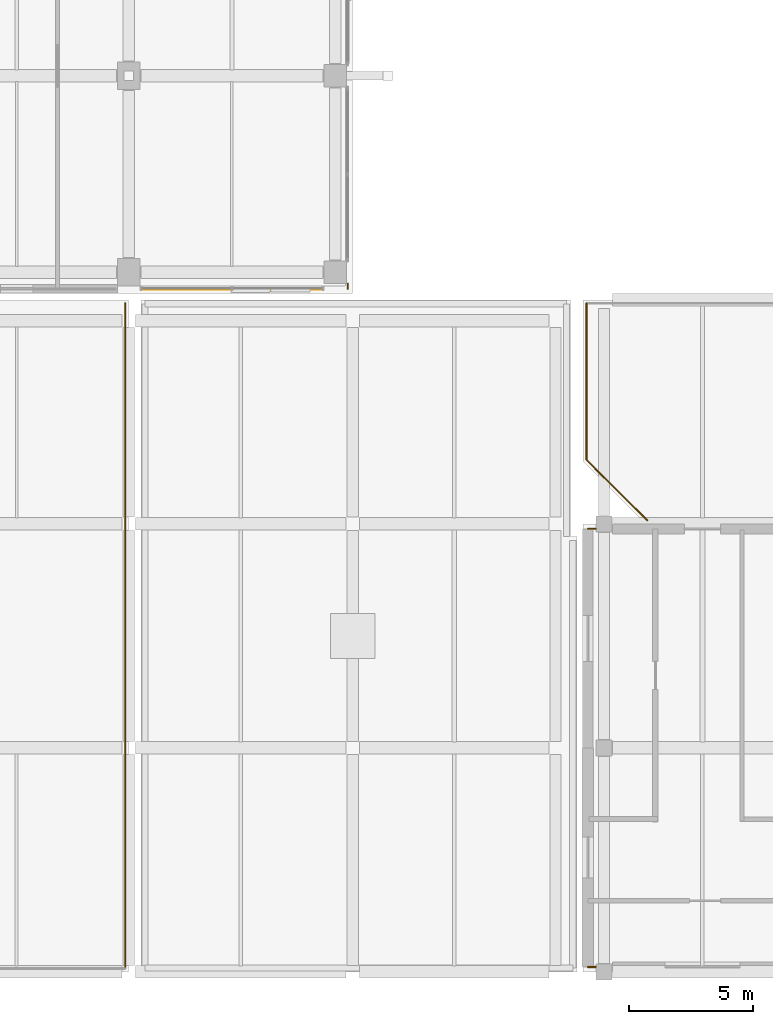
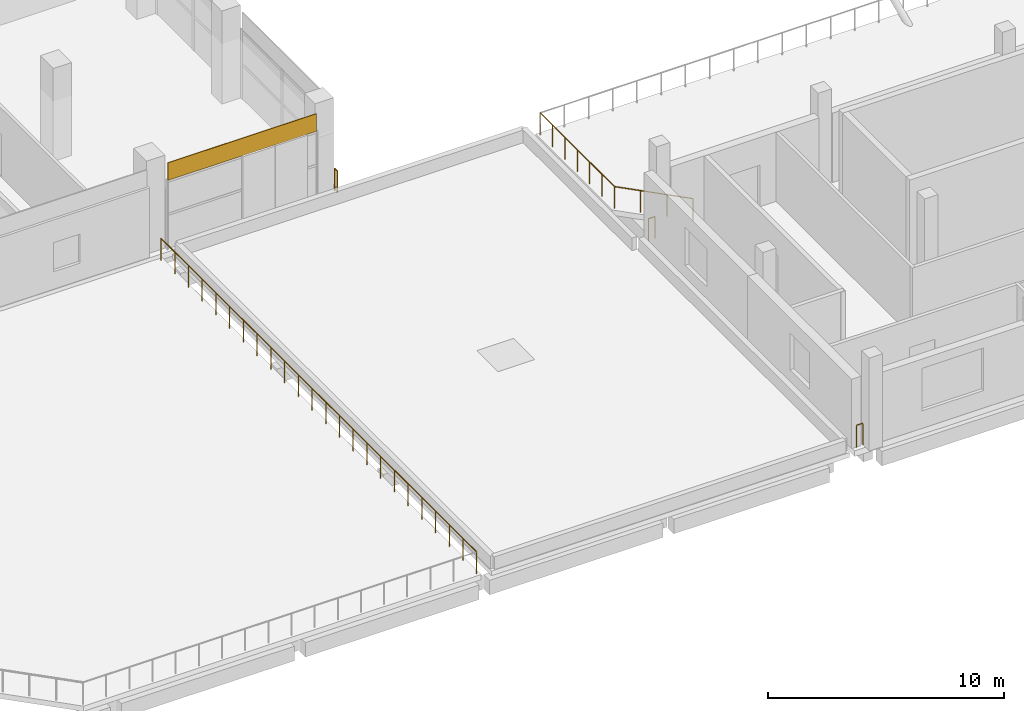
# One storey, part 65 of 82: 6 railings, 1 covering.
"""IFC4 building model written with IfcOpenShell, lengths in metres."""

from ifc_helpers import new_model, si_unit, direction, frame, origin, origin_2d, place, context, subcontext, project, spatial, rectangle, circle, extrude, material, layer, layer_set, type_object, element, save


model = new_model("IFC4")

# Units and contexts
model_context = context("Model", 3, precision=1e-05, world=origin(), true_north=direction((0.0, 1.0)))
body_context = subcontext(model_context, "Body", "Model", "MODEL_VIEW")
ifc_project = project(units=[si_unit("LENGTHUNIT", "METRE"), si_unit("AREAUNIT", "SQUARE_METRE"), si_unit("VOLUMEUNIT", "CUBIC_METRE"), si_unit("PLANEANGLEUNIT", "RADIAN"), si_unit("MASSUNIT", "GRAM", prefix="KILO"), si_unit("THERMODYNAMICTEMPERATUREUNIT", "KELVIN"), si_unit("POWERUNIT", "WATT")], contexts=[model_context])

# Site, building, storey
site_placement = place(None, origin())
site = spatial("IfcSite", under=ifc_project, at=site_placement, CompositionType="ELEMENT")
building_placement = place(site_placement, origin())
building = spatial("IfcBuilding", under=site, at=building_placement, Name="Sindhuravela Promenade Stadium", CompositionType="ELEMENT")
storey_placement = place(building_placement, frame((0.0, 0.0, 14.39990234375)))
storey = spatial("IfcBuildingStorey", under=building, at=storey_placement, Name="L03", CompositionType="ELEMENT", Elevation=14.39990234375)

# Covering
ifc_material_1 = material(Name="Polychrome trencadis ceramic mosaic", Category="masonry")
ifc_layer = layer(ifc_material_1, 0.034912109375)
ifc_layer_set = layer_set([ifc_layer], Name="Polychrome trencadis ceramic mosaic")
covering_type = type_object("IfcCoveringType", Name="CV-TRENC-1", PredefinedType="CLADDING", material=ifc_layer_set)
covering_placement = place(storey_placement, frame((40.14990234375, 36.429931640625, 3.55517578125), z_axis=(0.0, 0.0, 1.0), x_axis=(-1.0, 0.0, 0.0)))
element("IfcCovering", 1, at=covering_placement, inside=storey, type_object=covering_type, Name="Trencadis ceramic mosaic spandrel frieze WEST L03-96", PredefinedType="CLADDING", context=body_context, shape_type="SweptSolid", body=[
    extrude(rectangle(XDim=7.27001953125, YDim=0.034912109375, at=origin_2d()), origin(), (0.0, 0.0, 1.0), 0.905029296875),
])

# Railings
ifc_material_2 = material(Name="Architectural wrought steel E350", Category="steel")
railing_type_1 = type_object("IfcRailingType", Name="RL-BAL-1150", PredefinedType="BALUSTRADE", material=ifc_material_2)
railing_1_placement = place(storey_placement, frame((35.860107421875, 35.860107421875, 0.0)))
element("IfcRailing", 2, at=railing_1_placement, inside=storey, type_object=railing_type_1, Name="Terrace wrought balustrade BL01-15", PredefinedType="BALUSTRADE", context=body_context, shape_type="SweptSolid", body=[
    extrude(circle(Radius=0.02392578125, at=origin_2d()), frame((0.0, 0.0, 1.1259765625), z_axis=(0.0, -1.0, 0.0), x_axis=(1.0, 0.0, 0.0)), (0.0, 0.0, 1.0), 26.72021484375),
    extrude(circle(Radius=0.02099609375, at=origin_2d()), origin(), (0.0, 0.0, 1.0), 1.101806640625),
    extrude(circle(Radius=0.02099609375, at=origin_2d()), frame((0.0, -1.161865234375, 0.0)), (0.0, 0.0, 1.0), 1.101806640625),
    extrude(circle(Radius=0.02099609375, at=origin_2d()), frame((0.0, -2.323486328125, 0.0)), (0.0, 0.0, 1.0), 1.101806640625),
    extrude(circle(Radius=0.02099609375, at=origin_2d()), frame((0.0, -3.4853515625, 0.0)), (0.0, 0.0, 1.0), 1.101806640625),
    extrude(circle(Radius=0.02099609375, at=origin_2d()), frame((0.0, -4.64697265625, 0.0)), (0.0, 0.0, 1.0), 1.101806640625),
    extrude(circle(Radius=0.02099609375, at=origin_2d()), frame((0.0, -5.808837890625, 0.0)), (0.0, 0.0, 1.0), 1.101806640625),
    extrude(circle(Radius=0.02099609375, at=origin_2d()), frame((0.0, -6.970458984375, 0.0)), (0.0, 0.0, 1.0), 1.101806640625),
    extrude(circle(Radius=0.02099609375, at=origin_2d()), frame((0.0, -8.13232421875, 0.0)), (0.0, 0.0, 1.0), 1.101806640625),
    extrude(circle(Radius=0.02099609375, at=origin_2d()), frame((0.0, -9.2939453125, 0.0)), (0.0, 0.0, 1.0), 1.101806640625),
    extrude(circle(Radius=0.02099609375, at=origin_2d()), frame((0.0, -10.455810546875, 0.0)), (0.0, 0.0, 1.0), 1.101806640625),
    extrude(circle(Radius=0.02099609375, at=origin_2d()), frame((0.0, -11.617431640625, 0.0)), (0.0, 0.0, 1.0), 1.101806640625),
    extrude(circle(Radius=0.02099609375, at=origin_2d()), frame((0.0, -12.779296875, 0.0)), (0.0, 0.0, 1.0), 1.101806640625),
    extrude(circle(Radius=0.02099609375, at=origin_2d()), frame((0.0, -13.94091796875, 0.0)), (0.0, 0.0, 1.0), 1.101806640625),
    extrude(circle(Radius=0.02099609375, at=origin_2d()), frame((0.0, -15.102783203125, 0.0)), (0.0, 0.0, 1.0), 1.101806640625),
    extrude(circle(Radius=0.02099609375, at=origin_2d()), frame((0.0, -16.264404296875, 0.0)), (0.0, 0.0, 1.0), 1.101806640625),
    extrude(circle(Radius=0.02099609375, at=origin_2d()), frame((0.0, -17.42626953125, 0.0)), (0.0, 0.0, 1.0), 1.101806640625),
    extrude(circle(Radius=0.02099609375, at=origin_2d()), frame((0.0, -18.587890625, 0.0)), (0.0, 0.0, 1.0), 1.101806640625),
    extrude(circle(Radius=0.02099609375, at=origin_2d()), frame((0.0, -19.749755859375, 0.0)), (0.0, 0.0, 1.0), 1.101806640625),
    extrude(circle(Radius=0.02099609375, at=origin_2d()), frame((0.0, -20.911376953125, 0.0)), (0.0, 0.0, 1.0), 1.101806640625),
    extrude(circle(Radius=0.02099609375, at=origin_2d()), frame((0.0, -22.0732421875, 0.0)), (0.0, 0.0, 1.0), 1.101806640625),
    extrude(circle(Radius=0.02099609375, at=origin_2d()), frame((0.0, -23.23486328125, 0.0)), (0.0, 0.0, 1.0), 1.101806640625),
    extrude(circle(Radius=0.02099609375, at=origin_2d()), frame((0.0, -24.396728515625, 0.0)), (0.0, 0.0, 1.0), 1.101806640625),
    extrude(circle(Radius=0.02099609375, at=origin_2d()), frame((0.0, -25.558349609375, 0.0)), (0.0, 0.0, 1.0), 1.101806640625),
    extrude(circle(Radius=0.02099609375, at=origin_2d()), frame((0.0, -26.72021484375, 0.0)), (0.0, 0.0, 1.0), 1.101806640625),
])
railing_2_placement = place(storey_placement, frame((56.827880859375, 27.139892578125, 0.0)))
element("IfcRailing", 3, at=railing_2_placement, inside=storey, type_object=railing_type_1, Name="Terrace wrought balustrade BL01-45", PredefinedType="BALUSTRADE", context=body_context, shape_type="SweptSolid", body=[
    extrude(circle(Radius=0.02392578125, at=origin_2d()), frame((0.0, 0.0, 1.1259765625), z_axis=(-0.7071067811865476, 0.7071067811865476, 0.0), x_axis=(-0.7071067811865476, -0.7071067811865476, 0.0)), (0.0, 0.0, 1.0), 3.44775390625),
    extrude(circle(Radius=0.02099609375, at=origin_2d()), origin(), (0.0, 0.0, 1.0), 1.101806640625),
    extrude(circle(Radius=0.02099609375, at=origin_2d()), frame((-0.812744140625, 0.812744140625, 0.0)), (0.0, 0.0, 1.0), 1.101806640625),
    extrude(circle(Radius=0.02099609375, at=origin_2d()), frame((-1.625244140625, 1.625244140625, 0.0)), (0.0, 0.0, 1.0), 1.101806640625),
    extrude(circle(Radius=0.02099609375, at=origin_2d()), frame((-2.43798828125, 2.43798828125, 0.0)), (0.0, 0.0, 1.0), 1.101806640625),
])
railing_3_placement = place(storey_placement, frame((54.389892578125, 29.577880859375, 0.0)))
element("IfcRailing", 4, at=railing_3_placement, inside=storey, type_object=railing_type_1, Name="Terrace wrought balustrade BL01-46", PredefinedType="BALUSTRADE", context=body_context, shape_type="SweptSolid", body=[
    extrude(circle(Radius=0.02392578125, at=origin_2d()), frame((0.0, 0.0, 1.1259765625), z_axis=(0.0, 1.0, 0.0), x_axis=(-1.0, 0.0, 0.0)), (0.0, 0.0, 1.0), 6.2822265625),
    extrude(circle(Radius=0.02099609375, at=origin_2d()), origin(), (0.0, 0.0, 1.0), 1.101806640625),
    extrude(circle(Radius=0.02099609375, at=origin_2d()), frame((0.0, 1.047119140625, 0.0)), (0.0, 0.0, 1.0), 1.101806640625),
    extrude(circle(Radius=0.02099609375, at=origin_2d()), frame((0.0, 2.093994140625, 0.0)), (0.0, 0.0, 1.0), 1.101806640625),
    extrude(circle(Radius=0.02099609375, at=origin_2d()), frame((0.0, 3.14111328125, 0.0)), (0.0, 0.0, 1.0), 1.101806640625),
    extrude(circle(Radius=0.02099609375, at=origin_2d()), frame((0.0, 4.188232421875, 0.0)), (0.0, 0.0, 1.0), 1.101806640625),
    extrude(circle(Radius=0.02099609375, at=origin_2d()), frame((0.0, 5.235107421875, 0.0)), (0.0, 0.0, 1.0), 1.101806640625),
    extrude(circle(Radius=0.02099609375, at=origin_2d()), frame((0.0, 6.2822265625, 0.0)), (0.0, 0.0, 1.0), 1.101806640625),
])
railing_type_2 = type_object("IfcRailingType", Name="RL-GRD-1150", PredefinedType="GUARDRAIL", material=ifc_material_2)
railing_4_placement = place(storey_placement, frame((44.800048828125, 36.64501953125, 0.0)))
element("IfcRailing", 5, at=railing_4_placement, inside=storey, type_object=railing_type_2, Name="Perimeter edge return guard WEST L03", PredefinedType="GUARDRAIL", context=body_context, shape_type="SweptSolid", body=[
    extrude(circle(Radius=0.02392578125, at=origin_2d()), frame((0.0, 0.0, 1.1259765625), z_axis=(0.0, -1.0, 0.0), x_axis=(1.0, 0.0, 0.0)), (0.0, 0.0, 1.0), 0.195068359375),
    extrude(circle(Radius=0.02099609375, at=origin_2d()), origin(), (0.0, 0.0, 1.0), 1.101806640625),
    extrude(circle(Radius=0.02099609375, at=origin_2d()), frame((0.0, -0.195068359375, 0.0)), (0.0, 0.0, 1.0), 1.101806640625),
])
railing_5_placement = place(storey_placement, frame((54.449951171875, 26.800048828125, 0.0)))
element("IfcRailing", 6, at=railing_5_placement, inside=storey, type_object=railing_type_2, Name="Perimeter edge return guard SOUTH L03", PredefinedType="GUARDRAIL", context=body_context, shape_type="SweptSolid", body=[
    extrude(circle(Radius=0.02392578125, at=origin_2d()), frame((0.0, 0.0, 1.1259765625), z_axis=(1.0, 0.0, 0.0), x_axis=(0.0, 1.0, 0.0)), (0.0, 0.0, 1.0), 0.320068359375),
    extrude(circle(Radius=0.02099609375, at=origin_2d()), origin(), (0.0, 0.0, 1.0), 1.101806640625),
    extrude(circle(Radius=0.02099609375, at=origin_2d()), frame((0.320068359375, 0.0, 0.0)), (0.0, 0.0, 1.0), 1.101806640625),
])
railing_6_placement = place(storey_placement, frame((54.77001953125, 9.199951171875, 0.0)))
element("IfcRailing", 7, at=railing_6_placement, inside=storey, type_object=railing_type_2, Name="Perimeter edge return guard SOUTH L03", PredefinedType="GUARDRAIL", context=body_context, shape_type="SweptSolid", body=[
    extrude(circle(Radius=0.02392578125, at=origin_2d()), frame((0.0, 0.0, 1.1259765625), z_axis=(-1.0, 0.0, 0.0), x_axis=(0.0, -1.0, 0.0)), (0.0, 0.0, 1.0), 0.320068359375),
    extrude(circle(Radius=0.02099609375, at=origin_2d()), origin(), (0.0, 0.0, 1.0), 1.101806640625),
    extrude(circle(Radius=0.02099609375, at=origin_2d()), frame((-0.320068359375, 0.0, 0.0)), (0.0, 0.0, 1.0), 1.101806640625),
])

save(model, "model.ifc")
